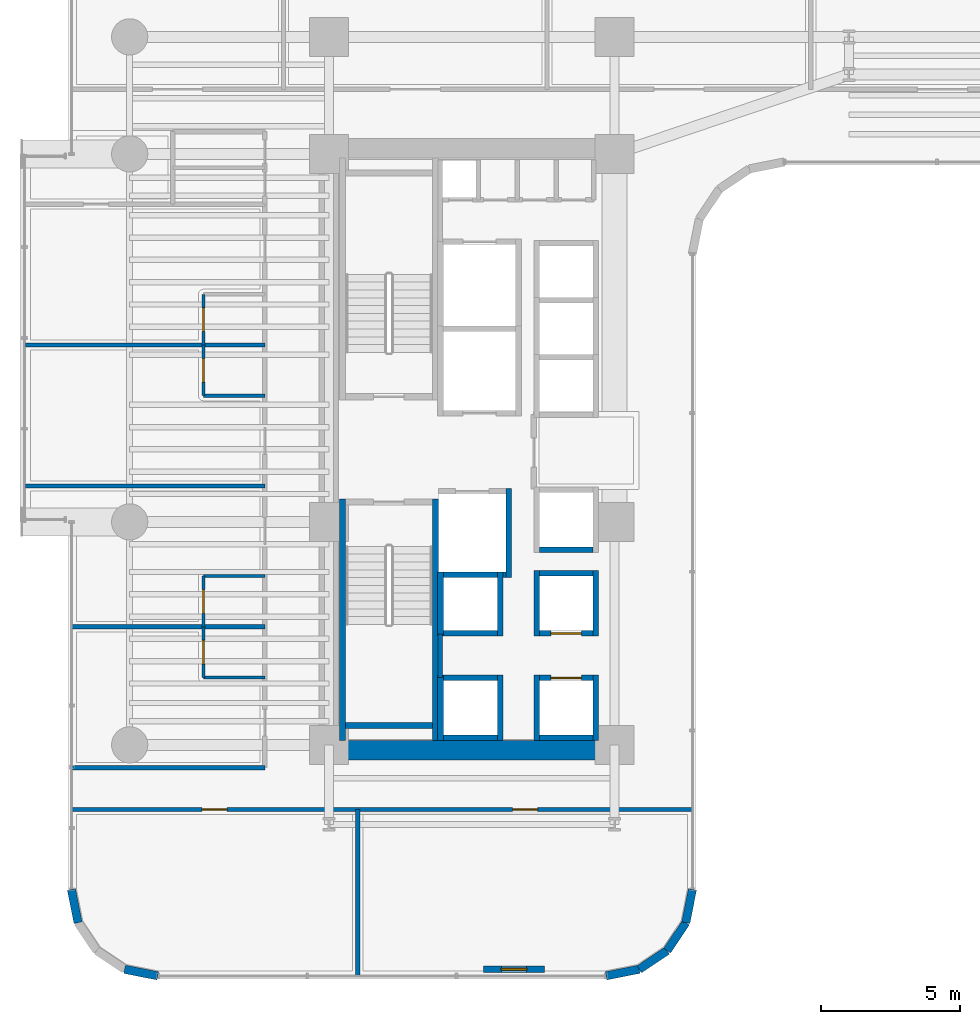
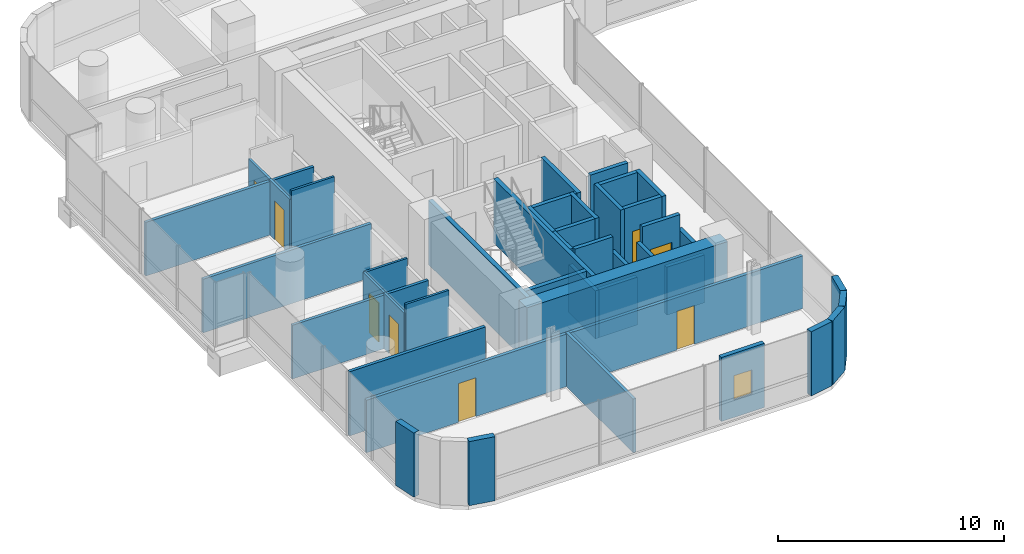
# One storey, part 29 of 39: 43 walls, 8 doors, 1 window, 9 openings.
"""IFC4 building model written with IfcOpenShell, lengths in metres."""

from ifc_helpers import new_model, si_unit, direction, frame, frame_2d, origin, place, context, subcontext, project, spatial, rectangle, extrude, material, layer, layer_set, type_object, element, fill, save


model = new_model("IFC4")

# Units and contexts
model_context = context("Model", 3, precision=1e-05, world=origin(), true_north=direction((0.0, 1.0)))
body_context = subcontext(model_context, "Body", "Model", "MODEL_VIEW")
ifc_project = project(units=[si_unit("LENGTHUNIT", "METRE"), si_unit("AREAUNIT", "SQUARE_METRE"), si_unit("VOLUMEUNIT", "CUBIC_METRE"), si_unit("PLANEANGLEUNIT", "RADIAN"), si_unit("MASSUNIT", "GRAM", prefix="KILO")], contexts=[model_context])

# Site, building, storey
site_placement = place(None, origin())
site = spatial("IfcSite", under=ifc_project, at=site_placement, CompositionType="ELEMENT")
building_placement = place(site_placement, origin())
building = spatial("IfcBuilding", under=site, at=building_placement, Name="Valdorenza Pilgrim Sanctuary Tower", CompositionType="ELEMENT")
storey_placement = place(building_placement, frame((0.0, 0.0, 77.800048828125)))
storey = spatial("IfcBuildingStorey", under=building, at=storey_placement, Name="L19", CompositionType="ELEMENT", Elevation=77.800048828125)

# Wall
ifc_material_1 = material(Name="Acoustic twin-stud gypsum partition", Category="gypsum")
ifc_layer_1 = layer(ifc_material_1, 0.159912109375, Name="Acoustic twin-stud gypsum partition")
ifc_layer_set_1 = layer_set([ifc_layer_1], Name="Acoustic twin-stud gypsum partition")
wall_type_1 = type_object("IfcWallType", Name="WAL-COR-160", PredefinedType="PARTITIONING", material=ifc_layer_set_1)
wall_1_placement = place(storey_placement, frame((-18.64990234375, -8.179931640625, 0.0), z_axis=(0.0, 0.0, 1.0), x_axis=(0.0, 1.0, 0.0)))
element("IfcWall", 1, at=wall_1_placement, inside=storey, type_object=wall_type_1, Name="L19 Core A South Lift Hall West Wall", PredefinedType="PARTITIONING", context=body_context, shape_type="SweptSolid", body=[
    extrude(rectangle(XDim=1.559814453125, YDim=0.159912109375, at=frame_2d((0.77978515625, 0.0))), origin(), (0.0, 0.0, 1.0), 3.4599609375),
])

# Wall, openings, doors
wall_2_placement = place(storey_placement, frame((-31.889892578125, -12.919921875, 0.0), z_axis=(0.0, 0.0, 1.0), x_axis=(1.0, 0.0, 0.0)))
wall_2 = element("IfcWall", 2, at=wall_2_placement, inside=storey, type_object=wall_type_1, Name="L19 South Wing Corridor Wall", PredefinedType="PARTITIONING", context=body_context, shape_type="SweptSolid", body=[
    extrude(rectangle(XDim=22.27978515625, YDim=0.159912109375, at=frame_2d((11.139892578125, 0.0))), origin(), (0.0, 0.0, 1.0), 2.833984375),
])
opening_1_placement = place(wall_2_placement, frame((4.68505859375, 0.0, 0.0)))
opening_1 = element("IfcOpeningElement", 3, at=opening_1_placement, cuts=wall_2, Name="Opening DR-RM1", PredefinedType="OPENING", context=body_context, shape_type="SweptSolid", body=[
    extrude(rectangle(XDim=0.89990234375, YDim=2.10009765625, at=frame_2d((0.449951171875, 1.050048828125))), frame((0.0, 0.0947265625, 0.0), z_axis=(0.0, -1.0, 0.0), x_axis=(1.0, 0.0, 0.0)), (0.0, 0.0, 1.0), 0.189697265625),
])
opening_2_placement = place(wall_2_placement, frame((15.824951171875, 0.0, 0.0)))
opening_2 = element("IfcOpeningElement", 4, at=opening_2_placement, cuts=wall_2, Name="Opening DR-RM1", PredefinedType="OPENING", context=body_context, shape_type="SweptSolid", body=[
    extrude(rectangle(XDim=0.89990234375, YDim=2.10009765625, at=frame_2d((0.449951171875, 1.050048828125))), frame((0.0, 0.0947265625, 0.0), z_axis=(0.0, -1.0, 0.0), x_axis=(1.0, 0.0, 0.0)), (0.0, 0.0, 1.0), 0.189697265625),
])
ifc_material_2 = material(Name="Solid-core European oak timber", Category="wood")
door_type_1 = type_object("IfcDoorType", Name="DR-ROOM-900", OperationType="NOTDEFINED", PredefinedType="DOOR", material=ifc_material_2)
door_1_placement = place(opening_1_placement, origin())
door_1 = element("IfcDoor", 5, at=door_1_placement, inside=storey, type_object=door_type_1, Name="L19 Retreat Discussion Room L19-S1 Door", OperationType="SINGLE_SWING_RIGHT", OverallHeight=2.10009765625, OverallWidth=0.89990234375, PredefinedType="DOOR", context=body_context, shape_type="SweptSolid", body=[
    extrude(rectangle(XDim=0.89990234375, YDim=2.10009765625, at=frame_2d((0.449951171875, 1.050048828125))), frame((0.0, 0.02490234375, 0.0), z_axis=(0.0, -1.0, 0.0), x_axis=(1.0, 0.0, 0.0)), (0.0, 0.0, 1.0), 0.050048828125),
])
fill(opening_1, door_1)
door_2_placement = place(opening_2_placement, frame((0.89990234375, 0.0, 0.0), z_axis=(0.0, 0.0, 1.0), x_axis=(-1.0, 0.0, 0.0)))
door_2 = element("IfcDoor", 6, at=door_2_placement, inside=storey, type_object=door_type_1, Name="L19 Retreat Discussion Room L19-S2 Door", OperationType="SINGLE_SWING_LEFT", OverallHeight=2.10009765625, OverallWidth=0.89990234375, PredefinedType="DOOR", context=body_context, shape_type="SweptSolid", body=[
    extrude(rectangle(XDim=0.89990234375, YDim=2.10009765625, at=frame_2d((0.449951171875, 1.050048828125))), frame((0.0, 0.02490234375, 0.0), z_axis=(0.0, -1.0, 0.0), x_axis=(1.0, 0.0, 0.0)), (0.0, 0.0, 1.0), 0.050048828125),
])
fill(opening_2, door_2)

# Walls
wall_3_placement = place(storey_placement, frame((-31.889892578125, -11.419921875, 0.0), z_axis=(0.0, 0.0, 1.0), x_axis=(1.0, 0.0, 0.0)))
element("IfcWall", 7, at=wall_3_placement, inside=storey, type_object=wall_type_1, Name="L19 South-West Corridor North Wall", PredefinedType="PARTITIONING", context=body_context, shape_type="SweptSolid", body=[
    extrude(rectangle(XDim=6.93994140625, YDim=0.159912109375, at=frame_2d((3.469970703125, 0.0))), origin(), (0.0, 0.0, 1.0), 3.4599609375),
])
ifc_material_3 = material(Name="Concrete C60/75", Category="concrete")
ifc_layer_2 = layer(ifc_material_3, 0.699951171875, Name="Concrete C60/75")
ifc_layer_set_2 = layer_set([ifc_layer_2], Name="Concrete C60/75")
wall_type_2 = type_object("IfcWallType", Name="WAL-COR-700", PredefinedType="SHEAR", material=ifc_layer_set_2)
wall_4_placement = place(storey_placement, frame((-22.64990234375, -10.800048828125, 0.0), z_axis=(0.0, 0.0, 1.0), x_axis=(1.0, 0.0, 0.0)))
element("IfcWall", 8, at=wall_4_placement, inside=storey, type_object=wall_type_2, Name="L19 Split Core A Shear Wall S", PredefinedType="SHEAR", context=body_context, shape_type="SweptSolid", body=[
    extrude(rectangle(XDim=10.25, YDim=0.699951171875, at=frame_2d((5.125, 0.0))), origin(), (0.0, 0.0, 1.0), 3.4599609375),
])
ifc_material_4 = material(Name="Honed travertine limestone", Category="masonry")
ifc_layer_3 = layer(ifc_material_4, 0.300048828125, Name="Honed travertine limestone")
ifc_layer_set_3 = layer_set([ifc_layer_3], Name="Honed travertine limestone")
wall_type_3 = type_object("IfcWallType", Name="WAL-EXT-300", PredefinedType="SOLIDWALL", material=ifc_layer_set_3)
wall_5_placement = place(storey_placement, frame((-9.610107421875, -15.789306640625, 0.0), z_axis=(0.0, 0.0, 1.0), x_axis=(-0.194996050505, -0.980804027463, 0.0)))
element("IfcWall", 9, at=wall_5_placement, inside=storey, type_object=wall_type_3, Name="L19 Rounded Wind-Corner Stone Pier 42", PredefinedType="SOLIDWALL", context=body_context, shape_type="SweptSolid", body=[
    extrude(rectangle(XDim=1.2158203125, YDim=0.300048828125, at=frame_2d((0.60791015625, 0.0))), origin(), (0.0, 0.0, 1.0), 3.4599609375),
])
for number, where, z_axis, x_axis, name in (
    (10, (-9.84716796875, -16.981689453125, 0.0), (0.0, 0.0, 1.0), (-0.555635100982, -0.831426265255, 0.0), "L19 Rounded Wind-Corner Stone Pier 43"),
    (11, (-10.5166015625, -17.9833984375, 0.0), (0.0, 0.0, 1.0), (-0.831426265255, -0.555635100982, 0.0), "L19 Rounded Wind-Corner Stone Pier 44"),
):
    element("IfcWall", number, at=place(storey_placement, frame(where, z_axis=z_axis, x_axis=x_axis)), inside=storey, type_object=wall_type_3, Name=name, PredefinedType="SOLIDWALL", context=body_context, shape_type="SweptSolid", body=[
        extrude(rectangle(XDim=1.204833984375, YDim=0.300048828125, at=frame_2d((0.6025390625, 0.0))), origin(), (0.0, 0.0, 1.0), 3.4599609375),
    ])
wall_6_placement = place(storey_placement, frame((-11.518310546875, -18.65283203125, 0.0), z_axis=(0.0, 0.0, 1.0), x_axis=(-0.980804027463, -0.194996050505, 0.0)))
element("IfcWall", 12, at=wall_6_placement, inside=storey, type_object=wall_type_3, Name="L19 Rounded Wind-Corner Stone Pier 45", PredefinedType="SOLIDWALL", context=body_context, shape_type="SweptSolid", body=[
    extrude(rectangle(XDim=1.2158203125, YDim=0.300048828125, at=frame_2d((0.60791015625, 0.0))), origin(), (0.0, 0.0, 1.0), 3.4599609375),
])

# Wall, opening, window
wall_7_placement = place(storey_placement, frame((-14.910888671875, -18.64990234375, 0.0), z_axis=(0.0, 0.0, 1.0), x_axis=(-1.0, 0.0, 0.0)))
wall_7 = element("IfcWall", 13, at=wall_7_placement, inside=storey, type_object=wall_type_3, Name="L19 Operable Ventilation Sash Jamb Pier", PredefinedType="SOLIDWALL", context=body_context, shape_type="SweptSolid", body=[
    extrude(rectangle(XDim=2.199951171875, YDim=0.219970703125, at=frame_2d((1.10009765625, 0.0))), origin(), (0.0, 0.0, 1.0), 3.4599609375),
])
opening_3_placement = place(wall_7_placement, frame((0.64990234375, 0.0, 0.949951171875)))
opening_3 = element("IfcOpeningElement", 14, at=opening_3_placement, cuts=wall_7, Name="Opening WN-OP1", PredefinedType="OPENING", context=body_context, shape_type="SweptSolid", body=[
    extrude(rectangle(XDim=0.89990234375, YDim=1.300048828125, at=frame_2d((0.449951171875, 0.64990234375))), frame((0.0, 0.125, 0.0), z_axis=(0.0, -1.0, 0.0), x_axis=(1.0, 0.0, 0.0)), (0.0, 0.0, 1.0), 0.249755859375),
])
ifc_material_5 = material(Name="Ceramic-fritted low-E IGU glazing", Category="glass")
window_type = type_object("IfcWindowType", Name="WIN-OPN-900", PartitioningType="SINGLE_PANEL", PredefinedType="WINDOW", material=ifc_material_5)
window_placement = place(opening_3_placement, origin())
window = element("IfcWindow", 15, at=window_placement, inside=storey, type_object=window_type, Name="L19 Parallel-Pop-Out Operable Facade Panel", OverallHeight=1.300048828125, OverallWidth=0.89990234375, PartitioningType="SINGLE_PANEL", PredefinedType="WINDOW", context=body_context, shape_type="SweptSolid", body=[
    extrude(rectangle(XDim=0.89990234375, YDim=1.300048828125, at=frame_2d((0.449951171875, 0.64990234375))), frame((0.0, 0.030029296875, 0.0), z_axis=(0.0, -1.0, 0.0), x_axis=(1.0, 0.0, 0.0)), (0.0, 0.0, 1.0), 0.06005859375),
])
fill(opening_3, window)

# Walls
for number, where, z_axis, x_axis, name in (
    (16, (-28.789306640625, -18.889892578125, 0.0), (0.0, 0.0, 1.0), (-0.980804027463, 0.194996050505, 0.0), "L19 Rounded Wind-Corner Stone Pier 47"),
    (17, (-31.65283203125, -16.981689453125, 0.0), (0.0, 0.0, 1.0), (-0.194996050505, 0.980804027463, 0.0), "L19 Rounded Wind-Corner Stone Pier 50"),
):
    element("IfcWall", number, at=place(storey_placement, frame(where, z_axis=z_axis, x_axis=x_axis)), inside=storey, type_object=wall_type_3, Name=name, PredefinedType="SOLIDWALL", context=body_context, shape_type="SweptSolid", body=[
        extrude(rectangle(XDim=1.2158203125, YDim=0.300048828125, at=frame_2d((0.60791015625, 0.0))), origin(), (0.0, 0.0, 1.0), 3.4599609375),
    ])
ifc_material_6 = material(Name="Moisture-resistant gypsum partition", Category="gypsum")
ifc_layer_4 = layer(ifc_material_6, 0.1201171875, Name="Moisture-resistant gypsum partition")
ifc_layer_set_4 = layer_set([ifc_layer_4], Name="Moisture-resistant gypsum partition")
wall_type_4 = type_object("IfcWallType", Name="WAL-INT-120", PredefinedType="PARTITIONING", material=ifc_layer_set_4)
wall_8_placement = place(storey_placement, frame((-27.14990234375, -8.18505859375, 0.0), z_axis=(0.0, 0.0, 1.0), x_axis=(1.0, 0.0, 0.0)))
element("IfcWall", 18, at=wall_8_placement, inside=storey, type_object=wall_type_4, Name="L19 Pilgrim Guest Room L19-W1 En-suite South Wall", PredefinedType="PARTITIONING", context=body_context, shape_type="SweptSolid", body=[
    extrude(rectangle(XDim=2.199951171875, YDim=0.1201171875, at=frame_2d((1.10009765625, 0.0))), origin(), (0.0, 0.0, 1.0), 3.4599609375),
])

# Wall, opening, door
wall_9_placement = place(storey_placement, frame((-27.14990234375, -8.18505859375, 0.0), z_axis=(0.0, 0.0, 1.0), x_axis=(0.0, 1.0, 0.0)))
wall_9 = element("IfcWall", 19, at=wall_9_placement, inside=storey, type_object=wall_type_4, Name="L19 Pilgrim Guest Room L19-W1 En-suite Door Wall", PredefinedType="PARTITIONING", context=body_context, shape_type="SweptSolid", body=[
    extrude(rectangle(XDim=1.820068359375, YDim=0.1201171875, at=frame_2d((0.91015625, 0.0))), origin(), (0.0, 0.0, 1.0), 2.97900390625),
])
opening_4_placement = place(wall_9_placement, frame((0.485107421875, 0.0, 0.0)))
opening_4 = element("IfcOpeningElement", 20, at=opening_4_placement, cuts=wall_9, Name="Opening DR-WC1", PredefinedType="OPENING", context=body_context, shape_type="SweptSolid", body=[
    extrude(rectangle(XDim=0.85009765625, YDim=2.10009765625, at=frame_2d((0.425048828125, 1.050048828125))), frame((0.0, 0.074951171875, 0.0), z_axis=(0.0, -1.0, 0.0), x_axis=(1.0, 0.0, 0.0)), (0.0, 0.0, 1.0), 0.14990234375),
])
ifc_material_7 = material(Name="Moisture-resistant lacquered timber", Category="wood")
door_type_2 = type_object("IfcDoorType", Name="DR-BATH-850", OperationType="NOTDEFINED", PredefinedType="DOOR", material=ifc_material_7)
door_3_placement = place(opening_4_placement, origin())
door_3 = element("IfcDoor", 21, at=door_3_placement, inside=storey, type_object=door_type_2, Name="L19 Pilgrim Guest Room L19-W1 En-suite Bathroom Door", OperationType="SINGLE_SWING_LEFT", OverallHeight=2.10009765625, OverallWidth=0.85009765625, PredefinedType="DOOR", context=body_context, shape_type="SweptSolid", body=[
    extrude(rectangle(XDim=0.85009765625, YDim=2.10009765625, at=frame_2d((0.425048828125, 1.050048828125))), frame((0.0, 0.02490234375, 0.0), z_axis=(0.0, -1.0, 0.0), x_axis=(1.0, 0.0, 0.0)), (0.0, 0.0, 1.0), 0.050048828125),
])
fill(opening_4, door_3)

# Wall
wall_10_placement = place(storey_placement, frame((-27.14990234375, -4.544921875, 0.0), z_axis=(0.0, 0.0, 1.0), x_axis=(1.0, 0.0, 0.0)))
element("IfcWall", 22, at=wall_10_placement, inside=storey, type_object=wall_type_4, Name="L19 Pilgrim Guest Room L19-W2 En-suite North Wall", PredefinedType="PARTITIONING", context=body_context, shape_type="SweptSolid", body=[
    extrude(rectangle(XDim=2.199951171875, YDim=0.1201171875, at=frame_2d((1.10009765625, 0.0))), origin(), (0.0, 0.0, 1.0), 2.97900390625),
])

# Wall, opening, door
wall_11_placement = place(storey_placement, frame((-27.14990234375, -6.364990234375, 0.0), z_axis=(0.0, 0.0, 1.0), x_axis=(0.0, 1.0, 0.0)))
wall_11 = element("IfcWall", 23, at=wall_11_placement, inside=storey, type_object=wall_type_4, Name="L19 Pilgrim Guest Room L19-W2 En-suite Door Wall", PredefinedType="PARTITIONING", context=body_context, shape_type="SweptSolid", body=[
    extrude(rectangle(XDim=1.820068359375, YDim=0.1201171875, at=frame_2d((0.91015625, 0.0))), origin(), (0.0, 0.0, 1.0), 2.97900390625),
])
opening_5_placement = place(wall_11_placement, frame((0.485107421875, 0.0, 0.0)))
opening_5 = element("IfcOpeningElement", 24, at=opening_5_placement, cuts=wall_11, Name="Opening DR-WC1", PredefinedType="OPENING", context=body_context, shape_type="SweptSolid", body=[
    extrude(rectangle(XDim=0.85009765625, YDim=2.10009765625, at=frame_2d((0.425048828125, 1.050048828125))), frame((0.0, 0.074951171875, 0.0), z_axis=(0.0, -1.0, 0.0), x_axis=(1.0, 0.0, 0.0)), (0.0, 0.0, 1.0), 0.14990234375),
])
door_4_placement = place(opening_5_placement, origin())
door_4 = element("IfcDoor", 25, at=door_4_placement, inside=storey, type_object=door_type_2, Name="L19 Pilgrim Guest Room L19-W2 En-suite Bathroom Door", OperationType="SINGLE_SWING_LEFT", OverallHeight=2.10009765625, OverallWidth=0.85009765625, PredefinedType="DOOR", context=body_context, shape_type="SweptSolid", body=[
    extrude(rectangle(XDim=0.85009765625, YDim=2.10009765625, at=frame_2d((0.425048828125, 1.050048828125))), frame((0.0, 0.02490234375, 0.0), z_axis=(0.0, -1.0, 0.0), x_axis=(1.0, 0.0, 0.0)), (0.0, 0.0, 1.0), 0.050048828125),
])
fill(opening_5, door_4)

# Wall
wall_12_placement = place(storey_placement, frame((-27.14990234375, 1.925048828125, 0.0), z_axis=(0.0, 0.0, 1.0), x_axis=(1.0, 0.0, 0.0)))
element("IfcWall", 26, at=wall_12_placement, inside=storey, type_object=wall_type_4, Name="L19 Pilgrim Guest Room L19-W3 En-suite South Wall", PredefinedType="PARTITIONING", context=body_context, shape_type="SweptSolid", body=[
    extrude(rectangle(XDim=2.199951171875, YDim=0.1201171875, at=frame_2d((1.10009765625, 0.0))), origin(), (0.0, 0.0, 1.0), 3.4599609375),
])

# Wall, opening, door
wall_13_placement = place(storey_placement, frame((-27.14990234375, 1.925048828125, 0.0), z_axis=(0.0, 0.0, 1.0), x_axis=(0.0, 1.0, 0.0)))
wall_13 = element("IfcWall", 27, at=wall_13_placement, inside=storey, type_object=wall_type_4, Name="L19 Pilgrim Guest Room L19-W3 En-suite Door Wall", PredefinedType="PARTITIONING", context=body_context, shape_type="SweptSolid", body=[
    extrude(rectangle(XDim=1.820068359375, YDim=0.1201171875, at=frame_2d((0.91015625, 0.0))), origin(), (0.0, 0.0, 1.0), 2.97900390625),
])
opening_6_placement = place(wall_13_placement, frame((0.485107421875, 0.0, 0.0)))
opening_6 = element("IfcOpeningElement", 28, at=opening_6_placement, cuts=wall_13, Name="Opening DR-WC1", PredefinedType="OPENING", context=body_context, shape_type="SweptSolid", body=[
    extrude(rectangle(XDim=0.85009765625, YDim=2.10009765625, at=frame_2d((0.425048828125, 1.050048828125))), frame((0.0, 0.074951171875, 0.0), z_axis=(0.0, -1.0, 0.0), x_axis=(1.0, 0.0, 0.0)), (0.0, 0.0, 1.0), 0.14990234375),
])
door_5_placement = place(opening_6_placement, origin())
door_5 = element("IfcDoor", 29, at=door_5_placement, inside=storey, type_object=door_type_2, Name="L19 Pilgrim Guest Room L19-W3 En-suite Bathroom Door", OperationType="SINGLE_SWING_LEFT", OverallHeight=2.10009765625, OverallWidth=0.85009765625, PredefinedType="DOOR", context=body_context, shape_type="SweptSolid", body=[
    extrude(rectangle(XDim=0.85009765625, YDim=2.10009765625, at=frame_2d((0.425048828125, 1.050048828125))), frame((0.0, 0.02490234375, 0.0), z_axis=(0.0, -1.0, 0.0), x_axis=(1.0, 0.0, 0.0)), (0.0, 0.0, 1.0), 0.050048828125),
])
fill(opening_6, door_5)

wall_14_placement = place(storey_placement, frame((-27.14990234375, 3.7451171875, 0.0), z_axis=(0.0, 0.0, 1.0), x_axis=(0.0, 1.0, 0.0)))
wall_14 = element("IfcWall", 30, at=wall_14_placement, inside=storey, type_object=wall_type_4, Name="L19 Pilgrim Guest Room L19-W4 En-suite Door Wall", PredefinedType="PARTITIONING", context=body_context, shape_type="SweptSolid", body=[
    extrude(rectangle(XDim=1.81982421875, YDim=0.1201171875, at=frame_2d((0.909912109375, 0.0))), origin(), (0.0, 0.0, 1.0), 2.97900390625),
])
opening_7_placement = place(wall_14_placement, frame((0.485107421875, 0.0, 0.0)))
opening_7 = element("IfcOpeningElement", 31, at=opening_7_placement, cuts=wall_14, Name="Opening DR-WC1", PredefinedType="OPENING", context=body_context, shape_type="SweptSolid", body=[
    extrude(rectangle(XDim=0.85009765625, YDim=2.10009765625, at=frame_2d((0.425048828125, 1.050048828125))), frame((0.0, 0.074951171875, 0.0), z_axis=(0.0, -1.0, 0.0), x_axis=(1.0, 0.0, 0.0)), (0.0, 0.0, 1.0), 0.14990234375),
])
door_6_placement = place(opening_7_placement, origin())
door_6 = element("IfcDoor", 32, at=door_6_placement, inside=storey, type_object=door_type_2, Name="L19 Pilgrim Guest Room L19-W4 En-suite Bathroom Door", OperationType="SINGLE_SWING_LEFT", OverallHeight=2.10009765625, OverallWidth=0.85009765625, PredefinedType="DOOR", context=body_context, shape_type="SweptSolid", body=[
    extrude(rectangle(XDim=0.85009765625, YDim=2.10009765625, at=frame_2d((0.425048828125, 1.050048828125))), frame((0.0, 0.02490234375, 0.0), z_axis=(0.0, -1.0, 0.0), x_axis=(1.0, 0.0, 0.0)), (0.0, 0.0, 1.0), 0.050048828125),
])
fill(opening_7, door_6)

# Walls
ifc_material_8 = material(Name="Autoclaved aerated concrete blockwork", Category="masonry")
ifc_layer_5 = layer(ifc_material_8, 0.199951171875, Name="Autoclaved aerated concrete blockwork")
ifc_layer_set_5 = layer_set([ifc_layer_5], Name="Autoclaved aerated concrete blockwork")
wall_type_5 = type_object("IfcWallType", Name="WAL-SHF-200", PredefinedType="MOVABLE", material=ifc_layer_set_5)
wall_15_placement = place(storey_placement, frame((-16.199951171875, -4.60009765625, 0.0), z_axis=(0.0, 0.0, 1.0), x_axis=(0.0, 1.0, 0.0)))
element("IfcWall", 33, at=wall_15_placement, inside=storey, type_object=wall_type_5, Name="L19 Lift FFL-02 Hoistway Wall East", PredefinedType="MOVABLE", context=body_context, shape_type="SweptSolid", body=[
    extrude(rectangle(XDim=3.2001953125, YDim=0.199951171875, at=frame_2d((1.60009765625, 0.0))), origin(), (0.0, 0.0, 1.0), 3.4599609375),
])
wall_16_placement = place(storey_placement, frame((-18.719970703125, -4.5, 0.0), z_axis=(0.0, 0.0, 1.0), x_axis=(1.0, 0.0, 0.0)))
element("IfcWall", 34, at=wall_16_placement, inside=storey, type_object=wall_type_5, Name="L19 Lift FFL-02 Hoistway Wall South", PredefinedType="MOVABLE", context=body_context, shape_type="SweptSolid", body=[
    extrude(rectangle(XDim=2.419921875, YDim=0.199951171875, at=frame_2d((1.2099609375, 0.0))), origin(), (0.0, 0.0, 1.0), 3.4599609375),
])
for number, where, z_axis, x_axis, name in (
    (35, (-15.199951171875, -10.449951171875, 0.0), (0.0, 0.0, 1.0), (0.0, 1.0, 0.0), "L19 Lift PL-01 Hoistway Wall West"),
    (36, (-13.080078125, -10.449951171875, 0.0), (0.0, 0.0, 1.0), (0.0, 1.0, 0.0), "L19 Lift PL-01 Hoistway Wall East"),
):
    element("IfcWall", number, at=place(storey_placement, frame(where, z_axis=z_axis, x_axis=x_axis)), inside=storey, type_object=wall_type_5, Name=name, PredefinedType="MOVABLE", context=body_context, shape_type="SweptSolid", body=[
        extrude(rectangle(XDim=2.349853515625, YDim=0.199951171875, at=frame_2d((1.1748046875, 0.0))), origin(), (0.0, 0.0, 1.0), 2.5830078125),
    ])
wall_17_placement = place(storey_placement, frame((-15.10009765625, -10.35009765625, 0.0), z_axis=(0.0, 0.0, 1.0), x_axis=(1.0, 0.0, 0.0)))
element("IfcWall", 37, at=wall_17_placement, inside=storey, type_object=wall_type_5, Name="L19 Lift PL-01 Hoistway Wall South", PredefinedType="MOVABLE", context=body_context, shape_type="SweptSolid", body=[
    extrude(rectangle(XDim=1.920166015625, YDim=0.199951171875, at=frame_2d((0.9599609375, 0.0))), origin(), (0.0, 0.0, 1.0), 2.5830078125),
])

# Wall, opening, door
wall_18_placement = place(storey_placement, frame((-15.10009765625, -8.199951171875, 0.0), z_axis=(0.0, 0.0, 1.0), x_axis=(1.0, 0.0, 0.0)))
wall_18 = element("IfcWall", 38, at=wall_18_placement, inside=storey, type_object=wall_type_5, Name="L19 Lift PL-01 Hoistway Wall North", PredefinedType="MOVABLE", context=body_context, shape_type="SweptSolid", body=[
    extrude(rectangle(XDim=1.920166015625, YDim=0.199951171875, at=frame_2d((0.9599609375, 0.0))), origin(), (0.0, 0.0, 1.0), 3.4599609375),
])
opening_8_placement = place(wall_18_placement, frame((0.409912109375, 0.0, 0.0)))
opening_8 = element("IfcOpeningElement", 39, at=opening_8_placement, cuts=wall_18, Name="Opening LD-01", PredefinedType="OPENING", context=body_context, shape_type="SweptSolid", body=[
    extrude(rectangle(XDim=1.10009765625, YDim=2.10009765625, at=frame_2d((0.550048828125, 1.050048828125))), frame((0.0, 0.11474609375, 0.0), z_axis=(0.0, -1.0, 0.0), x_axis=(1.0, 0.0, 0.0)), (0.0, 0.0, 1.0), 0.229736328125),
])
ifc_material_9 = material(Name="Brushed stainless steel Grade 316", Category="steel")
door_type_3 = type_object("IfcDoorType", Name="DR-LFT-1100", OperationType="DOUBLE_DOOR_SLIDING", PredefinedType="DOOR", material=ifc_material_9)
door_7_placement = place(opening_8_placement, origin())
door_7 = element("IfcDoor", 40, at=door_7_placement, inside=storey, type_object=door_type_3, Name="L19 Lift PL-01 Sliding Landing Door", OperationType="DOUBLE_DOOR_SLIDING", OverallHeight=2.10009765625, OverallWidth=1.10009765625, PredefinedType="DOOR", context=body_context, shape_type="SweptSolid", body=[
    extrude(rectangle(XDim=1.10009765625, YDim=2.10009765625, at=frame_2d((0.550048828125, 1.050048828125))), frame((0.0, 0.02490234375, 0.0), z_axis=(0.0, -1.0, 0.0), x_axis=(1.0, 0.0, 0.0)), (0.0, 0.0, 1.0), 0.050048828125),
])
fill(opening_8, door_7)

# Walls
for number, where, z_axis, x_axis, name in (
    (41, (-15.199951171875, -6.699951171875, 0.0), (0.0, 0.0, 1.0), (0.0, 1.0, 0.0), "L19 Lift PL-02 Hoistway Wall West"),
    (42, (-13.080078125, -6.699951171875, 0.0), (0.0, 0.0, 1.0), (0.0, 1.0, 0.0), "L19 Lift PL-02 Hoistway Wall East"),
):
    element("IfcWall", number, at=place(storey_placement, frame(where, z_axis=z_axis, x_axis=x_axis)), inside=storey, type_object=wall_type_5, Name=name, PredefinedType="MOVABLE", context=body_context, shape_type="SweptSolid", body=[
        extrude(rectangle(XDim=2.349853515625, YDim=0.199951171875, at=frame_2d((1.1748046875, 0.0))), origin(), (0.0, 0.0, 1.0), 3.4599609375),
    ])

# Wall, opening, door
wall_19_placement = place(storey_placement, frame((-15.10009765625, -6.60009765625, 0.0), z_axis=(0.0, 0.0, 1.0), x_axis=(1.0, 0.0, 0.0)))
wall_19 = element("IfcWall", 43, at=wall_19_placement, inside=storey, type_object=wall_type_5, Name="L19 Lift PL-02 Hoistway Wall South", PredefinedType="MOVABLE", context=body_context, shape_type="SweptSolid", body=[
    extrude(rectangle(XDim=1.920166015625, YDim=0.199951171875, at=frame_2d((0.9599609375, 0.0))), origin(), (0.0, 0.0, 1.0), 3.4599609375),
])
opening_9_placement = place(wall_19_placement, frame((0.409912109375, 0.0, 0.0)))
opening_9 = element("IfcOpeningElement", 44, at=opening_9_placement, cuts=wall_19, Name="Opening LD-01", PredefinedType="OPENING", context=body_context, shape_type="SweptSolid", body=[
    extrude(rectangle(XDim=1.10009765625, YDim=2.10009765625, at=frame_2d((0.550048828125, 1.050048828125))), frame((0.0, 0.11474609375, 0.0), z_axis=(0.0, -1.0, 0.0), x_axis=(1.0, 0.0, 0.0)), (0.0, 0.0, 1.0), 0.229736328125),
])
door_8_placement = place(opening_9_placement, origin())
door_8 = element("IfcDoor", 45, at=door_8_placement, inside=storey, type_object=door_type_3, Name="L19 Lift PL-02 Sliding Landing Door", OperationType="DOUBLE_DOOR_SLIDING", OverallHeight=2.10009765625, OverallWidth=1.10009765625, PredefinedType="DOOR", context=body_context, shape_type="SweptSolid", body=[
    extrude(rectangle(XDim=1.10009765625, YDim=2.10009765625, at=frame_2d((0.550048828125, 1.050048828125))), frame((0.0, 0.02490234375, 0.0), z_axis=(0.0, -1.0, 0.0), x_axis=(1.0, 0.0, 0.0)), (0.0, 0.0, 1.0), 0.050048828125),
])
fill(opening_9, door_8)

# Walls
wall_20_placement = place(storey_placement, frame((-15.10009765625, -4.449951171875, 0.0), z_axis=(0.0, 0.0, 1.0), x_axis=(1.0, 0.0, 0.0)))
element("IfcWall", 46, at=wall_20_placement, inside=storey, type_object=wall_type_5, Name="L19 Lift PL-02 Hoistway Wall North", PredefinedType="MOVABLE", context=body_context, shape_type="SweptSolid", body=[
    extrude(rectangle(XDim=1.920166015625, YDim=0.199951171875, at=frame_2d((0.9599609375, 0.0))), origin(), (0.0, 0.0, 1.0), 3.4599609375),
])
for number, where, z_axis, x_axis, name in (
    (47, (-18.64990234375, -10.449951171875, 0.0), (0.0, 0.0, 1.0), (0.0, 1.0, 0.0), "L19 Lift PL-05 Hoistway Wall West"),
    (48, (-16.5, -10.449951171875, 0.0), (0.0, 0.0, 1.0), (0.0, 1.0, 0.0), "L19 Lift PL-05 Hoistway Wall East"),
):
    element("IfcWall", number, at=place(storey_placement, frame(where, z_axis=z_axis, x_axis=x_axis)), inside=storey, type_object=wall_type_5, Name=name, PredefinedType="MOVABLE", context=body_context, shape_type="SweptSolid", body=[
        extrude(rectangle(XDim=2.349853515625, YDim=0.199951171875, at=frame_2d((1.1748046875, 0.0))), origin(), (0.0, 0.0, 1.0), 2.5830078125),
    ])
wall_21_placement = place(storey_placement, frame((-18.550048828125, -10.35009765625, 0.0), z_axis=(0.0, 0.0, 1.0), x_axis=(1.0, 0.0, 0.0)))
element("IfcWall", 49, at=wall_21_placement, inside=storey, type_object=wall_type_5, Name="L19 Lift PL-05 Hoistway Wall South", PredefinedType="MOVABLE", context=body_context, shape_type="SweptSolid", body=[
    extrude(rectangle(XDim=1.949951171875, YDim=0.199951171875, at=frame_2d((0.97509765625, 0.0))), origin(), (0.0, 0.0, 1.0), 2.5830078125),
])
wall_22_placement = place(storey_placement, frame((-18.550048828125, -8.199951171875, 0.0), z_axis=(0.0, 0.0, 1.0), x_axis=(1.0, 0.0, 0.0)))
element("IfcWall", 50, at=wall_22_placement, inside=storey, type_object=wall_type_5, Name="L19 Lift PL-05 Hoistway Wall North", PredefinedType="MOVABLE", context=body_context, shape_type="SweptSolid", body=[
    extrude(rectangle(XDim=1.949951171875, YDim=0.199951171875, at=frame_2d((0.97509765625, 0.0))), origin(), (0.0, 0.0, 1.0), 3.4599609375),
])
for number, where, z_axis, x_axis, name in (
    (51, (-18.64990234375, -6.699951171875, 0.0), (0.0, 0.0, 1.0), (0.0, 1.0, 0.0), "L19 Lift PL-11 Hoistway Wall West"),
    (52, (-16.5, -6.699951171875, 0.0), (0.0, 0.0, 1.0), (0.0, 1.0, 0.0), "L19 Lift PL-11 Hoistway Wall East"),
):
    element("IfcWall", number, at=place(storey_placement, frame(where, z_axis=z_axis, x_axis=x_axis)), inside=storey, type_object=wall_type_5, Name=name, PredefinedType="MOVABLE", context=body_context, shape_type="SweptSolid", body=[
        extrude(rectangle(XDim=2.300048828125, YDim=0.199951171875, at=frame_2d((1.14990234375, 0.0))), origin(), (0.0, 0.0, 1.0), 3.4599609375),
    ])
wall_23_placement = place(storey_placement, frame((-18.550048828125, -6.60009765625, 0.0), z_axis=(0.0, 0.0, 1.0), x_axis=(1.0, 0.0, 0.0)))
element("IfcWall", 53, at=wall_23_placement, inside=storey, type_object=wall_type_5, Name="L19 Lift PL-11 Hoistway Wall South", PredefinedType="MOVABLE", context=body_context, shape_type="SweptSolid", body=[
    extrude(rectangle(XDim=1.949951171875, YDim=0.199951171875, at=frame_2d((0.97509765625, 0.0))), origin(), (0.0, 0.0, 1.0), 3.4599609375),
])
wall_24_placement = place(storey_placement, frame((-15.10009765625, -3.60009765625, 0.0), z_axis=(0.0, 0.0, 1.0), x_axis=(1.0, 0.0, 0.0)))
element("IfcWall", 54, at=wall_24_placement, inside=storey, type_object=wall_type_5, Name="L19 Lift PL-12 Hoistway Wall South", PredefinedType="MOVABLE", context=body_context, shape_type="SweptSolid", body=[
    extrude(rectangle(XDim=1.920166015625, YDim=0.199951171875, at=frame_2d((0.9599609375, 0.0))), origin(), (0.0, 0.0, 1.0), 3.4599609375),
])
ifc_material_10 = material(Name="Concrete C40/50", Category="concrete")
ifc_layer_6 = layer(ifc_material_10, 0.219970703125, Name="Concrete C40/50")
ifc_layer_set_6 = layer_set([ifc_layer_6], Name="Concrete C40/50")
wall_type_6 = type_object("IfcWallType", Name="WAL-STR-SHF-220", PredefinedType="SHEAR", material=ifc_layer_set_6)
for number, where, z_axis, x_axis, name in (
    (55, (-22.159912109375, -10.449951171875, 0.0), (0.0, 0.0, 1.0), (0.0, 1.0, 0.0), "L19 ST-A2 Structural Stairwell Wall W"),
    (56, (-18.830078125, -10.449951171875, 0.0), (0.0, 0.0, 1.0), (0.0, 1.0, 0.0), "L19 ST-A2 Structural Stairwell Wall E"),
):
    element("IfcWall", number, at=place(storey_placement, frame(where, z_axis=z_axis, x_axis=x_axis)), inside=storey, type_object=wall_type_6, Name=name, PredefinedType="SHEAR", context=body_context, shape_type="SweptSolid", body=[
        extrude(rectangle(XDim=8.669921875, YDim=0.219970703125, at=frame_2d((4.3349609375, 0.0))), origin(), (0.0, 0.0, 1.0), 3.4599609375),
    ])
wall_25_placement = place(storey_placement, frame((-22.050048828125, -9.909912109375, 0.0), z_axis=(0.0, 0.0, 1.0), x_axis=(1.0, 0.0, 0.0)))
element("IfcWall", 57, at=wall_25_placement, inside=storey, type_object=wall_type_6, Name="L19 ST-A2 Structural Stairwell Wall S", PredefinedType="SHEAR", context=body_context, shape_type="SweptSolid", body=[
    extrude(rectangle(XDim=3.110107421875, YDim=0.219970703125, at=frame_2d((1.55517578125, 0.0))), origin(), (0.0, 0.0, 1.0), 3.4599609375),
])
ifc_layer_7 = layer(ifc_material_1, 0.14990234375, Name="Acoustic twin-stud gypsum partition")
ifc_layer_set_7 = layer_set([ifc_layer_7], Name="Acoustic twin-stud gypsum partition")
wall_type_7 = type_object("IfcWallType", Name="WAL-UNT-150", PredefinedType="PARTITIONING", material=ifc_layer_set_7)
wall_26_placement = place(storey_placement, frame((-31.889892578125, -6.364990234375, 0.0), z_axis=(0.0, 0.0, 1.0), x_axis=(1.0, 0.0, 0.0)))
element("IfcWall", 58, at=wall_26_placement, inside=storey, type_object=wall_type_7, Name="L19 West Demising 1", PredefinedType="PARTITIONING", context=body_context, shape_type="SweptSolid", body=[
    extrude(rectangle(XDim=6.93994140625, YDim=0.14990234375, at=frame_2d((3.469970703125, 0.0))), origin(), (0.0, 0.0, 1.0), 2.89599609375),
])
for number, where, z_axis, x_axis, name in (
    (59, (-33.5400390625, -1.31005859375, 0.0), (0.0, 0.0, 1.0), (1.0, 0.0, 0.0), "L19 West Demising 2"),
    (60, (-33.5400390625, 3.7451171875, 0.0), (0.0, 0.0, 1.0), (1.0, 0.0, 0.0), "L19 West Demising 3"),
):
    element("IfcWall", number, at=place(storey_placement, frame(where, z_axis=z_axis, x_axis=x_axis)), inside=storey, type_object=wall_type_7, Name=name, PredefinedType="PARTITIONING", context=body_context, shape_type="SweptSolid", body=[
        extrude(rectangle(XDim=8.590087890625, YDim=0.14990234375, at=frame_2d((4.294921875, 0.0))), origin(), (0.0, 0.0, 1.0), 2.89599609375),
    ])
wall_27_placement = place(storey_placement, frame((-21.6201171875, -18.889892578125, 0.0), z_axis=(0.0, 0.0, 1.0), x_axis=(0.0, 1.0, 0.0)))
element("IfcWall", 61, at=wall_27_placement, inside=storey, type_object=wall_type_7, Name="L19 Retreat Discussion Room L19-S2 Demising Wall", PredefinedType="PARTITIONING", context=body_context, shape_type="SweptSolid", body=[
    extrude(rectangle(XDim=5.969970703125, YDim=0.14990234375, at=frame_2d((2.98486328125, 0.0))), origin(), (0.0, 0.0, 1.0), 2.89599609375),
])

save(model, "model.ifc")
